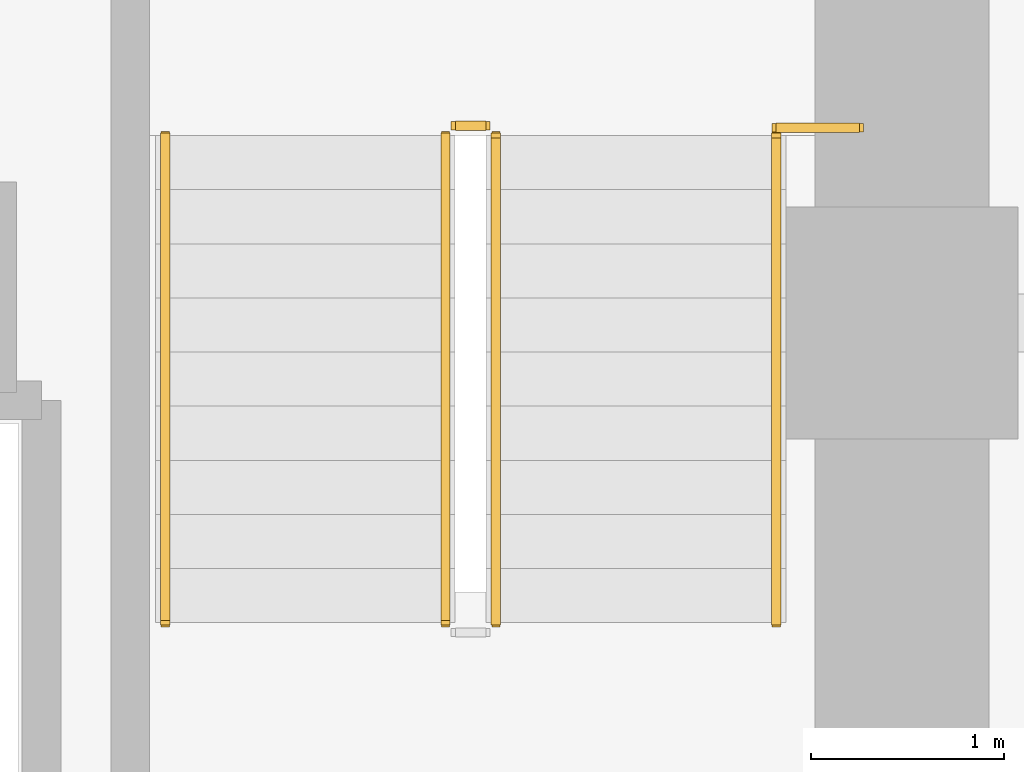
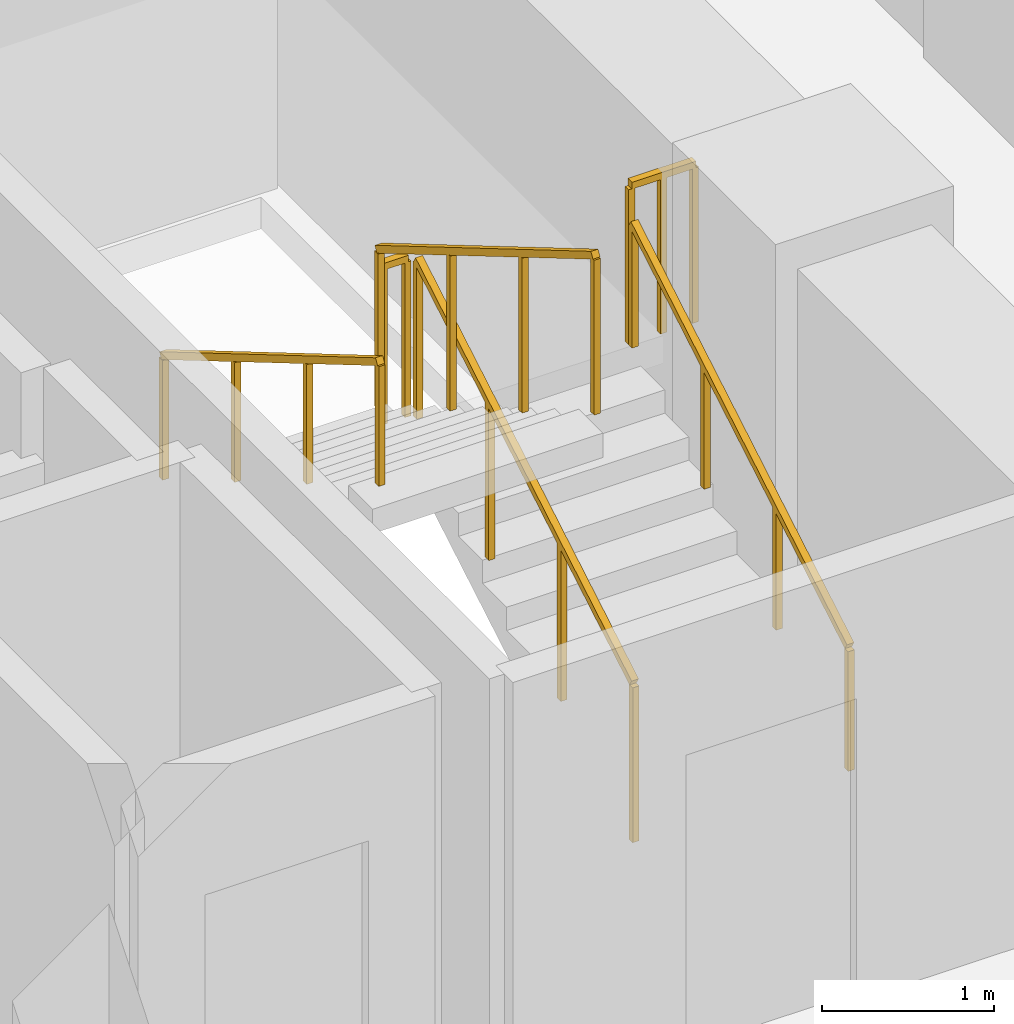
# One storey, part 31 of 32: 6 railings.
"""IFC4 building model written with IfcOpenShell, lengths in metres."""

from ifc_helpers import new_model, si_unit, direction, frame, origin, origin_2d, place, context, subcontext, project, spatial, rectangle, extrude, material, type_object, element, save


model = new_model("IFC4")

# Units and contexts
model_context = context("Model", 3, precision=1e-05, world=origin(), true_north=direction((0.0, 1.0)))
body_context = subcontext(model_context, "Body", "Model", "MODEL_VIEW")
ifc_project = project(units=[si_unit("LENGTHUNIT", "METRE"), si_unit("AREAUNIT", "SQUARE_METRE"), si_unit("VOLUMEUNIT", "CUBIC_METRE"), si_unit("PLANEANGLEUNIT", "RADIAN"), si_unit("MASSUNIT", "GRAM", prefix="KILO")], contexts=[model_context])

# Site, building, storey
site_placement = place(None, origin())
site = spatial("IfcSite", under=ifc_project, at=site_placement, CompositionType="ELEMENT")
building_placement = place(site_placement, origin())
building = spatial("IfcBuilding", under=site, at=building_placement, Name="Zarnakvel Exchange Tower", CompositionType="ELEMENT")
storey_placement = place(building_placement, frame((0.0, 0.0, 73.60009765625)))
storey = spatial("IfcBuildingStorey", under=building, at=storey_placement, Name="L20", CompositionType="ELEMENT", Elevation=73.60009765625)

# Railings
ifc_material_1 = material(Name="Brushed Stainless Steel", Category="steel")
railing_type_1 = type_object("IfcRailingType", Name="HR-01", PredefinedType="HANDRAIL", material=ifc_material_1)
railing_1_placement = place(storey_placement, frame((13.75, 5.050048828125, 0.164794921875)))
element("IfcRailing", 1, at=railing_1_placement, inside=storey, type_object=railing_type_1, Name="L20 ST-02 stair handrail 1", PredefinedType="HANDRAIL", context=body_context, shape_type="SweptSolid", body=[
    extrude(rectangle(XDim=0.048095703125, YDim=0.048095703125, at=origin_2d()), frame((0.0, 0.0, 0.8759765625), z_axis=(0.0, 0.86152411907, 0.507716645641), x_axis=(-1.0, 0.0, 0.0)), (0.0, 0.0, 1.0), 2.925048828125),
    extrude(rectangle(XDim=0.0419921875, YDim=0.0419921875, at=origin_2d()), origin(), (0.0, 0.0, 1.0), 0.851806640625),
    extrude(rectangle(XDim=0.0419921875, YDim=0.0419921875, at=origin_2d()), frame((0.0, 0.840087890625, 0.4951171875)), (0.0, 0.0, 1.0), 0.851806640625),
    extrude(rectangle(XDim=0.0419921875, YDim=0.0419921875, at=origin_2d()), frame((0.0, 1.679931640625, 0.989990234375)), (0.0, 0.0, 1.0), 0.851806640625),
    extrude(rectangle(XDim=0.0419921875, YDim=0.0419921875, at=origin_2d()), frame((0.0, 2.52001953125, 1.485107421875)), (0.0, 0.0, 1.0), 0.851806640625),
])
railing_2_placement = place(storey_placement, frame((10.590087890625, 7.570068359375, 1.81494140625)))
element("IfcRailing", 2, at=railing_2_placement, inside=storey, type_object=railing_type_1, Name="L20 ST-02 stair handrail 2", PredefinedType="HANDRAIL", context=body_context, shape_type="SweptSolid", body=[
    extrude(rectangle(XDim=0.048095703125, YDim=0.048095703125, at=origin_2d()), frame((0.0, 0.0, 0.8759765625), z_axis=(0.0, -0.861560626758, 0.507654692109), x_axis=(1.0, 0.0, 0.0)), (0.0, 0.0, 1.0), 2.925048828125),
    extrude(rectangle(XDim=0.0419921875, YDim=0.0419921875, at=origin_2d()), origin(), (0.0, 0.0, 1.0), 0.851806640625),
    extrude(rectangle(XDim=0.0419921875, YDim=0.0419921875, at=origin_2d()), frame((0.0, -0.840087890625, 0.494873046875)), (0.0, 0.0, 1.0), 0.851806640625),
    extrude(rectangle(XDim=0.0419921875, YDim=0.0419921875, at=origin_2d()), frame((0.0, -1.679931640625, 0.989990234375)), (0.0, 0.0, 1.0), 0.851806640625),
    extrude(rectangle(XDim=0.0419921875, YDim=0.0419921875, at=origin_2d()), frame((0.0, -2.52001953125, 1.48486328125)), (0.0, 0.0, 1.0), 0.851806640625),
])
ifc_material_2 = material(Name="Architectural Bronze Anodised Aluminium", Category="aluminium")
railing_type_2 = type_object("IfcRailingType", Name="SG-01", PredefinedType="GUARDRAIL", material=ifc_material_2)
railing_3_placement = place(storey_placement, frame((12.300048828125, 5.050048828125, 0.164794921875)))
element("IfcRailing", 3, at=railing_3_placement, inside=storey, type_object=railing_type_2, Name="L20 ST-02 stair guard 1", PredefinedType="GUARDRAIL", context=body_context, shape_type="SweptSolid", body=[
    extrude(rectangle(XDim=0.048095703125, YDim=0.048095703125, at=origin_2d()), frame((0.0, 0.0, 1.1259765625), z_axis=(0.0, 0.86152411907, 0.507716645641), x_axis=(-1.0, 0.0, 0.0)), (0.0, 0.0, 1.0), 2.925048828125),
    extrude(rectangle(XDim=0.0419921875, YDim=0.0419921875, at=origin_2d()), origin(), (0.0, 0.0, 1.0), 1.101806640625),
    extrude(rectangle(XDim=0.0419921875, YDim=0.0419921875, at=origin_2d()), frame((0.0, 0.840087890625, 0.4951171875)), (0.0, 0.0, 1.0), 1.101806640625),
    extrude(rectangle(XDim=0.0419921875, YDim=0.0419921875, at=origin_2d()), frame((0.0, 1.679931640625, 0.989990234375)), (0.0, 0.0, 1.0), 1.101806640625),
    extrude(rectangle(XDim=0.0419921875, YDim=0.0419921875, at=origin_2d()), frame((0.0, 2.52001953125, 1.485107421875)), (0.0, 0.0, 1.0), 1.101806640625),
])
railing_4_placement = place(storey_placement, frame((12.25, 7.6201171875, 1.64990234375)))
element("IfcRailing", 4, at=railing_4_placement, inside=storey, type_object=railing_type_2, Name="L20 ST-02 stair guard 2", PredefinedType="GUARDRAIL", context=body_context, shape_type="SweptSolid", body=[
    extrude(rectangle(XDim=0.048095703125, YDim=0.048095703125, at=origin_2d()), frame((0.0, 0.0, 1.1259765625), z_axis=(-1.0, 0.0, 0.0), x_axis=(0.0, -1.0, 0.0)), (0.0, 0.0, 1.0), 0.159912109375),
    extrude(rectangle(XDim=0.0419921875, YDim=0.0419921875, at=origin_2d()), origin(), (0.0, 0.0, 1.0), 1.101806640625),
    extrude(rectangle(XDim=0.0419921875, YDim=0.0419921875, at=origin_2d()), frame((-0.159912109375, 0.0, 0.0)), (0.0, 0.0, 1.0), 1.101806640625),
])
railing_5_placement = place(storey_placement, frame((12.0400390625, 7.570068359375, 1.81494140625)))
element("IfcRailing", 5, at=railing_5_placement, inside=storey, type_object=railing_type_2, Name="L20 ST-02 stair guard 3", PredefinedType="GUARDRAIL", context=body_context, shape_type="SweptSolid", body=[
    extrude(rectangle(XDim=0.048095703125, YDim=0.048095703125, at=origin_2d()), frame((0.0, 0.0, 1.1259765625), z_axis=(0.0, -0.861560626758, 0.507654692109), x_axis=(1.0, 0.0, 0.0)), (0.0, 0.0, 1.0), 2.925048828125),
    extrude(rectangle(XDim=0.0419921875, YDim=0.0419921875, at=origin_2d()), origin(), (0.0, 0.0, 1.0), 1.101806640625),
    extrude(rectangle(XDim=0.0419921875, YDim=0.0419921875, at=origin_2d()), frame((0.0, -0.840087890625, 0.494873046875)), (0.0, 0.0, 1.0), 1.101806640625),
    extrude(rectangle(XDim=0.0419921875, YDim=0.0419921875, at=origin_2d()), frame((0.0, -1.679931640625, 0.989990234375)), (0.0, 0.0, 1.0), 1.101806640625),
    extrude(rectangle(XDim=0.0419921875, YDim=0.0419921875, at=origin_2d()), frame((0.0, -2.52001953125, 1.48486328125)), (0.0, 0.0, 1.0), 1.101806640625),
])
railing_6_placement = place(storey_placement, frame((13.75, 7.610107421875, 1.64990234375)))
element("IfcRailing", 6, at=railing_6_placement, inside=storey, type_object=railing_type_2, Name="L20 ST-02 Landing Slot Guardrail", PredefinedType="GUARDRAIL", context=body_context, shape_type="SweptSolid", body=[
    extrude(rectangle(XDim=0.048095703125, YDim=0.048095703125, at=origin_2d()), frame((0.0, 0.0, 1.1259765625), z_axis=(1.0, 0.0, 0.0), x_axis=(0.0, 1.0, 0.0)), (0.0, 0.0, 1.0), 0.429931640625),
    extrude(rectangle(XDim=0.0419921875, YDim=0.0419921875, at=origin_2d()), origin(), (0.0, 0.0, 1.0), 1.101806640625),
    extrude(rectangle(XDim=0.0419921875, YDim=0.0419921875, at=origin_2d()), frame((0.21484375, 0.0, 0.0)), (0.0, 0.0, 1.0), 1.101806640625),
    extrude(rectangle(XDim=0.0419921875, YDim=0.0419921875, at=origin_2d()), frame((0.429931640625, 0.0, 0.0)), (0.0, 0.0, 1.0), 1.101806640625),
])

save(model, "model.ifc")
